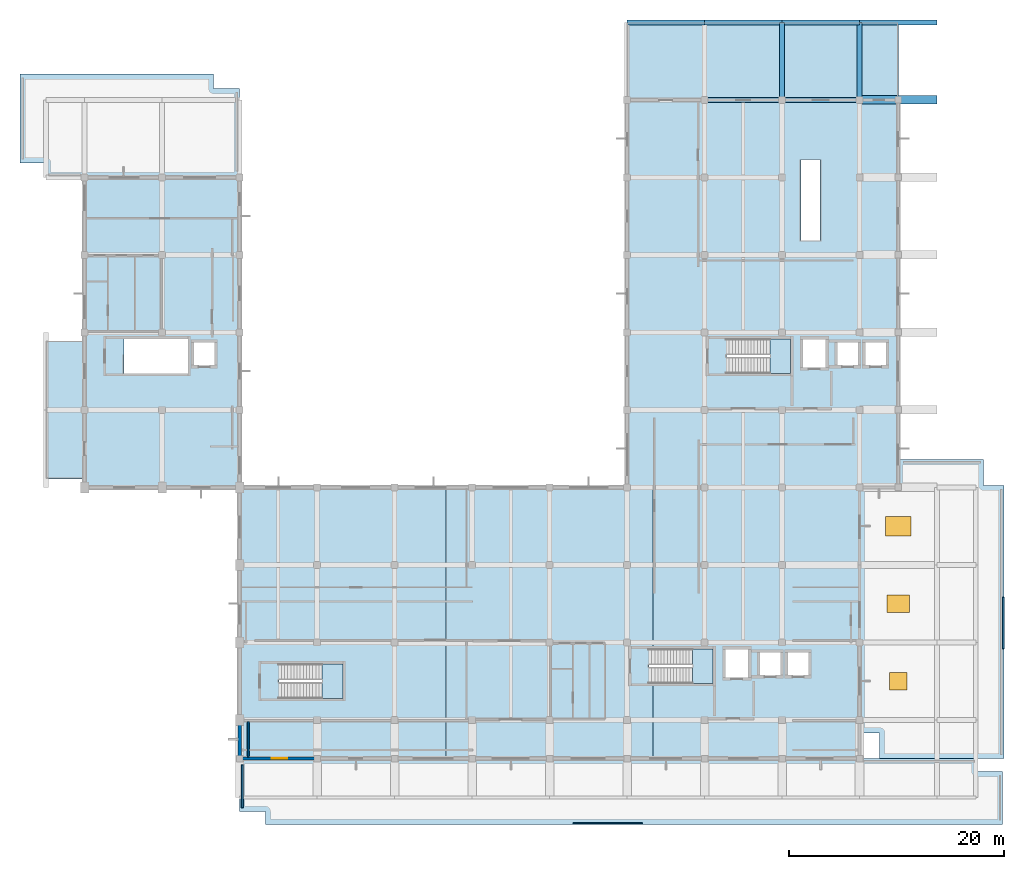
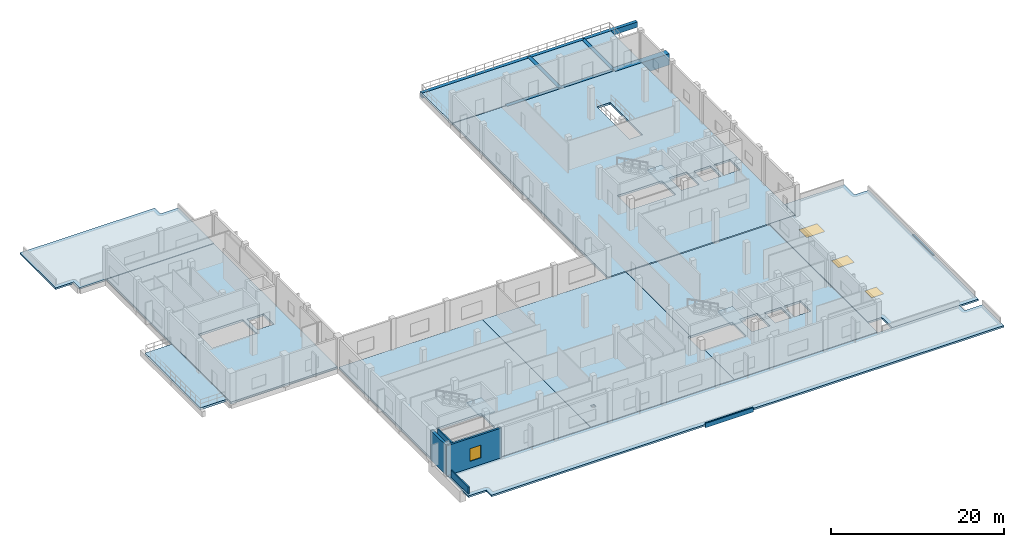
# One storey, part 3 of 16: 13 slabs, 9 beams, 4 walls, 4 windows, 2 plates, 4 openings, 3 elements without a shape of their own.
"""IFC4 building model written with IfcOpenShell, lengths in metres."""

import ifcopenshell
import ifcopenshell.guid

model = None  # the IFC model being written
_history = None  # IfcOwnerHistory: only IFC2X3 demands one
_inside = {}  # id of a spatial element -> (the spatial element, [elements in it])
_under = {}  # id of a project, library or spatial element -> (it, [spatial elements below it])
_declared = {}  # id of a project -> (the project, [libraries it declares])
_typed = {}  # id of a type object -> (the type object, [elements of that type])
_made_of = {}  # id of a material, layer set ... -> (it, [elements and type objects made of it])


def new_model(schema):
    """Start an empty IFC model of exactly this schema.

    Asked for "IFC4X3", IfcOpenShell would pick the latest addendum, in which some entities
    have other attributes; the version numbers below select the first issue.
    IFC2X3 requires an IfcOwnerHistory on every rooted entity: one is made here for all.
    """
    global model, _history
    if schema == "IFC4X3":
        model = ifcopenshell.file(schema_version=(4, 3, 0, 0))
    else:
        model = ifcopenshell.file(schema=schema)
    _inside.clear()
    _under.clear()
    _declared.clear()
    _typed.clear()
    _made_of.clear()
    _history = None
    if model.schema == "IFC2X3":
        org = make("IfcOrganization", Name="unknown")
        user = make(
            "IfcPersonAndOrganization",
            ThePerson=make("IfcPerson", FamilyName="unknown"),
            TheOrganization=org,
        )
        app = make(
            "IfcApplication",
            ApplicationDeveloper=org,
            Version="unknown",
            ApplicationFullName="unknown",
            ApplicationIdentifier="unknown",
        )
        _history = make(
            "IfcOwnerHistory",
            OwningUser=user,
            OwningApplication=app,
            ChangeAction="ADDED",
            CreationDate=0,
        )
    return model


def make(cls, **values):
    """One entity of the class cls with the attributes given. An attribute that is None is left unset."""
    return model.create_entity(
        cls, **{name: value for name, value in values.items() if value is not None}
    )


def rooted(cls, **values):
    """An entity with a GlobalId (a new one), such as an element, a storey or a relation."""
    return make(cls, GlobalId=ifcopenshell.guid.new(), OwnerHistory=_history, **values)


def si_unit(unit_type, name, prefix=None):
    """IfcSIUnit, for example si_unit("LENGTHUNIT", "METRE", prefix="MILLI")."""
    return make("IfcSIUnit", UnitType=unit_type, Prefix=prefix, Name=name)


def assignment(units):
    """IfcUnitAssignment: the units of a project."""
    return None if units is None else make("IfcUnitAssignment", Units=units)


def point(xyz):
    """IfcCartesianPoint."""
    return None if xyz is None else make("IfcCartesianPoint", Coordinates=xyz)


def direction(xyz):
    """IfcDirection."""
    return None if xyz is None else make("IfcDirection", DirectionRatios=xyz)


def frame(location, z_axis=None, x_axis=None):
    """IfcAxis2Placement3D, a coordinate frame: its origin and axes. An axis left out is left unset."""
    return make(
        "IfcAxis2Placement3D",
        Location=point(location),
        Axis=direction(z_axis),
        RefDirection=direction(x_axis),
    )


def frame_2d(location, x_axis=None):
    """IfcAxis2Placement2D, a coordinate frame in the plane: its origin and x axis."""
    return make(
        "IfcAxis2Placement2D", Location=point(location), RefDirection=direction(x_axis)
    )


def origin():
    """The frame at (0, 0, 0) with its axes left unset."""
    return frame((0.0, 0.0, 0.0))


def origin_2d():
    """The frame at (0, 0) in the plane with its x axis left unset."""
    return frame_2d((0.0, 0.0))


def place(relative_to, where):
    """IfcLocalPlacement: puts the frame where relative to a parent placement (None: the world)."""
    return make(
        "IfcLocalPlacement", PlacementRelTo=relative_to, RelativePlacement=where
    )


def context(
    kind, dimensions, precision=None, world=None, true_north=None, identifier=None
):
    """IfcGeometricRepresentationContext, for example the 3D "Model" context."""
    return make(
        "IfcGeometricRepresentationContext",
        ContextIdentifier=identifier,
        ContextType=kind,
        CoordinateSpaceDimension=dimensions,
        Precision=precision,
        WorldCoordinateSystem=world,
        TrueNorth=true_north,
    )


def subcontext(parent, identifier, kind, view, scale=None):
    """IfcGeometricRepresentationSubContext, for example "Body" below "Model"."""
    return make(
        "IfcGeometricRepresentationSubContext",
        ContextIdentifier=identifier,
        ContextType=kind,
        ParentContext=parent,
        TargetScale=scale,
        TargetView=view,
    )


def project(units=None, contexts=None):
    """IfcProject with its units and contexts."""
    return rooted(
        "IfcProject",
        Name="project",
        RepresentationContexts=contexts,
        UnitsInContext=assignment(units),
    )


def spatial(cls, under=None, at=None, **own):
    """A site, building, storey or space (cls), placed at a placement, below another one or the project."""
    s = rooted(cls, ObjectPlacement=at, **own)
    if under is not None:
        _under.setdefault(under.id(), (under, []))[1].append(s)
    return s


def polyline(points):
    """IfcPolyline through the points."""
    return make("IfcPolyline", Points=[point(p) for p in points])


def profile(cls, at=None, kind="AREA", **sizes):
    """A parametric profile (cls). Its sizes go by their IFC names, for example OverallWidth=200.0."""
    return make(cls, ProfileType=kind, Position=at, **sizes)


def rectangle(**sizes):
    """IfcRectangleProfileDef."""
    return profile("IfcRectangleProfileDef", **sizes)


def outline(outer, holes=None, kind="AREA"):
    """IfcArbitraryClosedProfileDef: a profile drawn as a closed curve; with holes, ...WithVoids."""
    if holes is None:
        return make("IfcArbitraryClosedProfileDef", ProfileType=kind, OuterCurve=outer)
    return make(
        "IfcArbitraryProfileDefWithVoids",
        ProfileType=kind,
        OuterCurve=outer,
        InnerCurves=holes,
    )


def extrude(swept, where, along, depth):
    """IfcExtrudedAreaSolid: the profile swept, set in the frame where, extruded along a direction by depth."""
    return make(
        "IfcExtrudedAreaSolid",
        SweptArea=swept,
        Position=where,
        ExtrudedDirection=direction(along),
        Depth=depth,
    )


def shape(context_of_items, identifier, shape_type, items):
    """IfcShapeRepresentation: the items that make up one representation, for example the "Body"."""
    return make(
        "IfcShapeRepresentation",
        ContextOfItems=context_of_items,
        RepresentationIdentifier=identifier,
        RepresentationType=shape_type,
        Items=items,
    )


def material(Name=None, Category=None):
    """IfcMaterial."""
    return make("IfcMaterial", Name=Name, Category=Category)


def layer(
    of_material, thickness, ventilated=None, Name=None, Category=None, Priority=None
):
    """IfcMaterialLayer: one layer of a wall or slab, of a material (None: an air gap)."""
    return make(
        "IfcMaterialLayer",
        Material=of_material,
        LayerThickness=thickness,
        IsVentilated=ventilated,
        Name=Name,
        Category=Category,
        Priority=Priority,
    )


def layer_set(layers, Name=None):
    """IfcMaterialLayerSet."""
    return make("IfcMaterialLayerSet", MaterialLayers=layers, LayerSetName=Name)


def material_profile(
    of_material, cross_section, Name=None, Category=None, Priority=None
):
    """IfcMaterialProfile: a cross section and its material."""
    return make(
        "IfcMaterialProfile",
        Name=Name,
        Material=of_material,
        Profile=cross_section,
        Priority=Priority,
        Category=Category,
    )


def profile_set(profiles, Name=None, composite=None):
    """IfcMaterialProfileSet."""
    return make(
        "IfcMaterialProfileSet",
        Name=Name,
        MaterialProfiles=profiles,
        CompositeProfile=composite,
    )


def made_of(thing, what):
    """Note that an element or type object is made of a material, layer set ...; save() writes the relation."""
    if what is not None:
        _made_of.setdefault(what.id(), (what, []))[1].append(thing)
    return thing


def type_object(cls, material=None, **own):
    """A type object (cls), such as IfcWallType, which elements share."""
    return made_of(rooted(cls, **own), material)


def element(
    cls,
    number,
    at=None,
    inside=None,
    cuts=None,
    type_object=None,
    material=None,
    context=None,
    identifier="Body",
    shape_type=None,
    held_by="IfcProductDefinitionShape",
    body=None,
    shapes=None,
    **own,
):
    """One element of the class cls, such as IfcWall. Its Tag is "e" and its number.

    at: its placement. inside: the storey or other place that contains it. cuts: it is an
    opening in that element (IfcRelVoidsElement). A single representation is given by context,
    identifier, shape_type and body (its items); several are given by shapes. held_by: the class
    of the entity that holds the representations. save() writes the other relations.
    """
    e = rooted(cls, Tag="e%d" % number, ObjectPlacement=at, **own)
    if body is not None:
        shapes = [shape(context, identifier, shape_type, body)]
    if shapes is not None:
        e.Representation = make(held_by, Representations=shapes)
    if inside is not None:
        _inside.setdefault(inside.id(), (inside, []))[1].append(e)
    if cuts is not None:
        rooted(
            "IfcRelVoidsElement", RelatingBuildingElement=cuts, RelatedOpeningElement=e
        )
    if type_object is not None:
        _typed.setdefault(type_object.id(), (type_object, []))[1].append(e)
    return made_of(e, material)


def fill(opening, filler):
    """IfcRelFillsElement: the door or window that sits in an opening."""
    return rooted(
        "IfcRelFillsElement",
        RelatingOpeningElement=opening,
        RelatedBuildingElement=filler,
    )


def aggregate(whole, parts):
    """IfcRelAggregates: a whole, such as a stair, and the parts it consists of."""
    return rooted("IfcRelAggregates", RelatingObject=whole, RelatedObjects=parts)


def save(model, path):
    """Write the relations noted so far, then the file.

    IfcRelAggregates (storeys below a building ...), IfcRelContainedInSpatialStructure (elements
    in a storey), IfcRelDefinesByType, IfcRelAssociatesMaterial and IfcRelDeclares: one each for
    every whole, place, type object, material and project.
    """
    for whole, parts in _under.values():
        aggregate(whole, parts)
    for where, things in _inside.values():
        rooted(
            "IfcRelContainedInSpatialStructure",
            RelatedElements=things,
            RelatingStructure=where,
        )
    for kind, things in _typed.values():
        rooted("IfcRelDefinesByType", RelatedObjects=things, RelatingType=kind)
    for what, things in _made_of.values():
        rooted("IfcRelAssociatesMaterial", RelatedObjects=things, RelatingMaterial=what)
    for by, libraries in _declared.values():
        rooted("IfcRelDeclares", RelatingContext=by, RelatedDefinitions=libraries)
    model.write(path)


model = new_model("IFC4")

# Units and contexts
model_context = context("Model", 3, precision=1e-05, world=origin(), true_north=direction((0.0, 1.0)))
body_context = subcontext(model_context, "Body", "Model", "MODEL_VIEW")
ifc_project = project(units=[si_unit("LENGTHUNIT", "METRE"), si_unit("AREAUNIT", "SQUARE_METRE"), si_unit("VOLUMEUNIT", "CUBIC_METRE"), si_unit("PLANEANGLEUNIT", "RADIAN"), si_unit("MASSUNIT", "GRAM", prefix="KILO")], contexts=[model_context])

# Site, building, storey
site_placement = place(None, origin())
site = spatial("IfcSite", under=ifc_project, at=site_placement, CompositionType="ELEMENT")
building_placement = place(site_placement, origin())
building = spatial("IfcBuilding", under=site, at=building_placement, Name="Seraya Terrace Polytechnic", CompositionType="ELEMENT")
storey_placement = place(building_placement, frame((0.0, 0.0, 23.39990234375)))
storey = spatial("IfcBuildingStorey", under=building, at=storey_placement, Name="L05", CompositionType="ELEMENT", Elevation=23.39990234375)

# Beams
ifc_material_1 = material(Name="Concrete C40/50", Category="concrete")
ifc_material_profile_1 = material_profile(ifc_material_1, rectangle(XDim=0.449951171875, YDim=0.75, at=origin_2d()), Name="RC 450x750")
ifc_profile_set_1 = profile_set([ifc_material_profile_1], Name="Concrete C40/50")
beam_type_1 = type_object("IfcBeamType", Name="BM-08", PredefinedType="BEAM", material=ifc_profile_set_1)
beam_1_placement = place(storey_placement, frame((86.39990234375, 64.800048828125, -0.375), z_axis=(1.0, 0.0, 0.0), x_axis=(0.0, 1.0, 0.0)))
element("IfcBeam", 1, at=beam_1_placement, inside=storey, type_object=beam_type_1, Name="Beam BM-08 L05 X (86.4..93.6, 64.8)", PredefinedType="BEAM", context=body_context, shape_type="SweptSolid", body=[
    extrude(rectangle(XDim=0.449951171875, YDim=0.75, at=origin_2d()), origin(), (0.0, 0.0, 1.0), 7.2001953125),
])
for number, where, z_axis, x_axis, name in (
    (2, (93.60009765625, 64.800048828125, -0.375), (1.0, 0.0, 0.0), (0.0, 1.0, 0.0), "Beam BM-08 L05 X (93.6..100.8, 64.8)"),
    (3, (79.199951171875, 72.0, -0.375), (1.0, 0.0, 0.0), (0.0, 1.0, 0.0), "Beam BM-08 L05 X (79.2..86.4, 72.0)"),
):
    element("IfcBeam", number, at=place(storey_placement, frame(where, z_axis=z_axis, x_axis=x_axis)), inside=storey, type_object=beam_type_1, Name=name, PredefinedType="BEAM", context=body_context, shape_type="SweptSolid", body=[
        extrude(rectangle(XDim=0.449951171875, YDim=0.75, at=origin_2d()), origin(), (0.0, 0.0, 1.0), 7.199951171875),
    ])
beam_2_placement = place(storey_placement, frame((86.39990234375, 72.0, -0.375), z_axis=(1.0, 0.0, 0.0), x_axis=(0.0, 1.0, 0.0)))
element("IfcBeam", 4, at=beam_2_placement, inside=storey, type_object=beam_type_1, Name="Beam BM-08 L05 X (86.4..93.6, 72.0)", PredefinedType="BEAM", context=body_context, shape_type="SweptSolid", body=[
    extrude(rectangle(XDim=0.449951171875, YDim=0.75, at=origin_2d()), origin(), (0.0, 0.0, 1.0), 7.2001953125),
])
for number, where, z_axis, x_axis, name in (
    (5, (93.60009765625, 72.0, -0.375), (1.0, 0.0, 0.0), (0.0, 1.0, 0.0), "Beam BM-08 L05 X (93.6..100.8, 72.0)"),
    (6, (100.800048828125, 72.0, -0.375), (1.0, 0.0, 0.0), (0.0, 1.0, 0.0), "Beam BM-08 L05 X (100.8..108.0, 72.0)"),
    (7, (93.60009765625, 64.800048828125, -0.375), (0.0, 1.0, 0.0), (-1.0, 0.0, 0.0), "Beam BM-08 L05 Y (93.6, 64.8..72.0)"),
    (8, (100.800048828125, 64.800048828125, -0.375), (0.0, 1.0, 0.0), (-1.0, 0.0, 0.0), "Beam BM-08 L05 Y (100.8, 64.8..72.0)"),
):
    element("IfcBeam", number, at=place(storey_placement, frame(where, z_axis=z_axis, x_axis=x_axis)), inside=storey, type_object=beam_type_1, Name=name, PredefinedType="BEAM", context=body_context, shape_type="SweptSolid", body=[
        extrude(rectangle(XDim=0.449951171875, YDim=0.75, at=origin_2d()), origin(), (0.0, 0.0, 1.0), 7.199951171875),
    ])
ifc_material_profile_2 = material_profile(ifc_material_1, rectangle(XDim=0.800048828125, YDim=1.60009765625, at=origin_2d()), Name="RC 800x1600")
ifc_profile_set_2 = profile_set([ifc_material_profile_2], Name="Concrete C40/50")
beam_type_2 = type_object("IfcBeamType", Name="TG-03", PredefinedType="USERDEFINED", material=ifc_profile_set_2)
beam_3_placement = place(storey_placement, frame((100.800048828125, 64.800048828125, -0.7998046875), z_axis=(1.0, 0.0, 0.0), x_axis=(0.0, 1.0, 0.0)))
element("IfcBeam", 9, at=beam_3_placement, inside=storey, type_object=beam_type_2, Name="Transfer girder TG-03 L05 #38", ObjectType="GIRDER", PredefinedType="USERDEFINED", context=body_context, shape_type="SweptSolid", body=[
    extrude(rectangle(XDim=0.800048828125, YDim=1.60009765625, at=origin_2d()), origin(), (0.0, 0.0, 1.0), 7.199951171875),
])

# Plates
ifc_material_2 = material(Name="Precast concrete C40/50", Category="concrete")
ifc_layer_1 = layer(ifc_material_2, 0.159912109375, Name="FP-01")
ifc_layer_set_1 = layer_set([ifc_layer_1], Name="Precast concrete C40/50")
plate_type_1 = type_object("IfcPlateType", Name="FP-01", PredefinedType="SHEET", material=ifc_layer_set_1)
plate_1_placement = place(storey_placement, frame((77.39990234375, -2.429931640625, -0.489990234375), z_axis=(0.0, 0.0, 1.0), x_axis=(1.0, 0.0, 0.0)))
element("IfcPlate", 10, at=plate_1_placement, inside=storey, type_object=plate_type_1, Name="Sculpted white precast eave fascia ROOF-L05-SOUTH South", PredefinedType="SHEET", context=body_context, shape_type="SweptSolid", body=[
    extrude(rectangle(XDim=6.39990234375, YDim=0.159912109375, at=origin_2d()), origin(), (0.0, 0.0, 1.0), 0.6201171875),
])
ifc_layer_2 = layer(ifc_material_2, 0.179931640625, Name="FP-02")
ifc_layer_set_2 = layer_set([ifc_layer_2], Name="Precast concrete C40/50")
plate_type_2 = type_object("IfcPlateType", Name="FP-02", PredefinedType="SHEET", material=ifc_layer_set_2)
plate_2_placement = place(storey_placement, frame((114.1298828125, 16.199951171875, -0.489990234375), z_axis=(0.0, 0.0, 1.0), x_axis=(0.0, 1.0, 0.0)))
element("IfcPlate", 11, at=plate_2_placement, inside=storey, type_object=plate_type_2, Name="Sculpted white precast eave fascia ROOF-L05-SE East", PredefinedType="SHEET", context=body_context, shape_type="SweptSolid", body=[
    extrude(rectangle(XDim=4.800048828125, YDim=0.179931640625, at=origin_2d()), origin(), (0.0, 0.0, 1.0), 0.6201171875),
])

# Slabs
ifc_layer_3 = layer(ifc_material_1, 0.300048828125, Name="FS-10")
ifc_layer_set_3 = layer_set([ifc_layer_3], Name="Concrete C40/50")
slab_type_1 = type_object("IfcSlabType", Name="FS-10", PredefinedType="FLOOR", material=ifc_layer_set_3)
slab_1_placement = place(storey_placement, frame((0.0, 0.0, -0.2998046875)))
element("IfcSlab", 12, at=slab_1_placement, inside=storey, type_object=slab_type_1, Name="Floor slab SLB-V2-SOUTH-L05-S1 (FS-10)", PredefinedType="FLOOR", context=body_context, shape_type="SweptSolid", body=[
    extrude(outline(polyline([(43.260009765625, 3.659912109375), (43.260009765625, 28.739990234375), (62.39990234375, 28.739990234375), (62.39990234375, 3.659912109375), (43.260009765625, 3.659912109375)]), holes=[polyline([(46.840087890625, 12.39990234375), (46.840087890625, 9.199951171875), (52.800048828125, 9.199951171875), (52.800048828125, 12.39990234375), (46.840087890625, 12.39990234375)])]), origin(), (0.0, 0.0, 1.0), 0.2998046875),
])
slab_2_placement = place(storey_placement, frame((0.0, 0.0, -0.2998046875)))
element("IfcSlab", 13, at=slab_2_placement, inside=storey, type_object=slab_type_1, Name="Floor slab SLB-V2-SOUTH-L05-S2 (FS-10)", PredefinedType="FLOOR", context=body_context, shape_type="SweptSolid", body=[
    extrude(outline(polyline([(81.60009765625, 28.739990234375), (81.60009765625, 13.800048828125), (81.239990234375, 13.800048828125), (81.239990234375, 10.60009765625), (81.60009765625, 10.60009765625), (81.60009765625, 3.659912109375), (62.405029296875, 3.659912109375), (62.405029296875, 28.739990234375), (81.60009765625, 28.739990234375)]), holes=[polyline([(64.550048828125, 7.449951171875), (64.550048828125, 6.949951171875), (65.050048828125, 6.949951171875), (65.050048828125, 7.449951171875), (64.550048828125, 7.449951171875)])]), origin(), (0.0, 0.0, 1.0), 0.2998046875),
])
slab_3_placement = place(storey_placement, frame((0.0, 0.0, -0.2998046875)))
element("IfcSlab", 14, at=slab_3_placement, inside=storey, type_object=slab_type_1, Name="Floor slab SLB-V2-SOUTH-L05-S3 (FS-10)", PredefinedType="FLOOR", context=body_context, shape_type="SweptSolid", body=[
    extrude(outline(polyline([(100.739990234375, 28.739990234375), (100.739990234375, 3.659912109375), (81.60498046875, 3.659912109375), (81.60498046875, 10.60009765625), (87.199951171875, 10.60009765625), (87.199951171875, 13.800048828125), (81.60498046875, 13.800048828125), (81.60498046875, 28.739990234375), (100.739990234375, 28.739990234375)]), holes=[polyline([(88.199951171875, 13.89990234375), (88.199951171875, 11.0), (90.60009765625, 11.0), (90.60009765625, 13.89990234375), (88.199951171875, 13.89990234375)]), polyline([(91.39990234375, 11.199951171875), (93.60009765625, 11.199951171875), (93.60009765625, 13.60009765625), (91.39990234375, 13.60009765625), (91.39990234375, 11.199951171875)]), polyline([(94.0, 13.60009765625), (94.0, 11.199951171875), (96.199951171875, 11.199951171875), (96.199951171875, 13.60009765625), (94.0, 13.60009765625)])]), origin(), (0.0, 0.0, 1.0), 0.2998046875),
])
slab_4_placement = place(storey_placement, frame((0.0, 0.0, -0.2998046875)))
element("IfcSlab", 15, at=slab_4_placement, inside=storey, type_object=slab_type_1, Name="Floor slab SLB-V2-WEST-L05-S1 (FS-10)", PredefinedType="FLOOR", context=body_context, shape_type="SweptSolid", body=[
    extrude(outline(polyline([(28.860107421875, 57.5400390625), (43.139892578125, 57.5400390625), (43.139892578125, 28.860107421875), (28.860107421875, 28.860107421875), (28.860107421875, 57.5400390625)]), holes=[polyline([(32.43994140625, 39.39990234375), (38.39990234375, 39.39990234375), (38.39990234375, 42.60009765625), (32.43994140625, 42.60009765625), (32.43994140625, 39.39990234375)]), polyline([(38.820068359375, 42.39990234375), (38.820068359375, 40.0), (41.02001953125, 40.0), (41.02001953125, 42.39990234375), (38.820068359375, 42.39990234375)])]), origin(), (0.0, 0.0, 1.0), 0.2998046875),
])
slab_5_placement = place(storey_placement, frame((0.0, 0.0, -0.2998046875)))
element("IfcSlab", 16, at=slab_5_placement, inside=storey, type_object=slab_type_1, Name="Floor slab SLB-V2-SPINE-L05-S1 (FS-10)", PredefinedType="FLOOR", context=body_context, shape_type="SweptSolid", body=[
    extrude(outline(polyline([(79.260009765625, 64.739990234375), (104.340087890625, 64.739990234375), (104.340087890625, 28.860107421875), (79.260009765625, 28.860107421875), (79.260009765625, 64.739990234375)]), holes=[polyline([(88.43994140625, 42.60009765625), (88.43994140625, 39.39990234375), (94.39990234375, 39.39990234375), (94.39990234375, 42.60009765625), (88.43994140625, 42.60009765625)]), polyline([(98.60009765625, 42.39990234375), (98.60009765625, 40.0), (100.800048828125, 40.0), (100.800048828125, 42.39990234375), (98.60009765625, 42.39990234375)]), polyline([(101.199951171875, 40.0), (103.39990234375, 40.0), (103.39990234375, 42.39990234375), (101.199951171875, 42.39990234375), (101.199951171875, 40.0)]), polyline([(95.39990234375, 42.699951171875), (95.39990234375, 39.800048828125), (97.800048828125, 39.800048828125), (97.800048828125, 42.699951171875), (95.39990234375, 42.699951171875)]), polyline([(95.35009765625, 59.280029296875), (95.35009765625, 51.760009765625), (97.1298828125, 51.760009765625), (97.1298828125, 59.280029296875), (95.35009765625, 59.280029296875)])]), origin(), (0.0, 0.0, 1.0), 0.2998046875),
])
ifc_layer_4 = layer(ifc_material_2, 0.25, Name="RS-01")
ifc_layer_set_4 = layer_set([ifc_layer_4], Name="Precast concrete C40/50")
slab_type_2 = type_object("IfcSlabType", Name="RS-01", PredefinedType="ROOF", material=ifc_layer_set_4)
slab_6_placement = place(storey_placement, frame((0.0, 0.0, -0.25)))
element("IfcSlab", 17, at=slab_6_placement, inside=storey, type_object=slab_type_2, Name="Sculpted overhanging precast roof plate ROOF-L05-SOUTH", PredefinedType="ROOF", context=body_context, shape_type="SweptSolid", body=[
    extrude(outline(polyline([(45.60009765625, -1.300048828125), (43.199951171875, -1.300048828125), (43.199951171875, 3.60009765625), (111.699951171875, 3.60009765625), (111.699951171875, 2.39990234375), (114.10009765625, 2.39990234375), (114.10009765625, -2.5), (45.60009765625, -2.5), (45.60009765625, -1.300048828125)])), origin(), (0.0, 0.0, 1.0), 0.25),
])

# Slab, openings, windows
slab_7_placement = place(storey_placement, frame((0.0, 0.0, -0.25)))
slab_7 = element("IfcSlab", 18, at=slab_7_placement, inside=storey, type_object=slab_type_2, Name="Sculpted overhanging precast roof plate ROOF-L05-SE", PredefinedType="ROOF", context=body_context, shape_type="SweptSolid", body=[
    extrude(outline(polyline([(112.323974609375, 31.39990234375), (112.323974609375, 29.0), (114.199951171875, 29.0), (114.199951171875, 3.60009765625), (102.676025390625, 3.60498046875), (102.676025390625, 6.0), (100.800048828125, 6.0), (100.800048828125, 28.85498046875), (104.3427734375, 28.855712890625), (104.344970703125, 31.39990234375), (112.323974609375, 31.39990234375)])), origin(), (0.0, 0.0, 1.0), 0.25),
])
opening_1_placement = place(slab_7_placement, frame((104.39990234375, 10.800048828125, -0.011962890625)))
opening_1 = element("IfcOpeningElement", 19, at=opening_1_placement, cuts=slab_7, Name="Opening SK-01", PredefinedType="OPENING", context=body_context, shape_type="SweptSolid", body=[
    extrude(rectangle(XDim=1.60009765625, YDim=1.60009765625, at=origin_2d()), origin(), (0.0, 0.0, 1.0), 0.27392578125),
])
opening_2_placement = place(slab_7_placement, frame((104.39990234375, 18.0, -0.011962890625)))
opening_2 = element("IfcOpeningElement", 20, at=opening_2_placement, cuts=slab_7, Name="Opening SK-02", PredefinedType="OPENING", context=body_context, shape_type="SweptSolid", body=[
    extrude(rectangle(XDim=2.10009765625, YDim=1.60009765625, at=origin_2d()), origin(), (0.0, 0.0, 1.0), 0.27392578125),
])
opening_3_placement = place(slab_7_placement, frame((104.39990234375, 25.199951171875, -0.011962890625)))
opening_3 = element("IfcOpeningElement", 21, at=opening_3_placement, cuts=slab_7, Name="Opening SK-03", PredefinedType="OPENING", context=body_context, shape_type="SweptSolid", body=[
    extrude(rectangle(XDim=2.39990234375, YDim=1.800048828125, at=origin_2d()), origin(), (0.0, 0.0, 1.0), 0.27392578125),
])
ifc_material_3 = material(Name="Laminated solar-control Low-E double glazing", Category="glass")
window_type_1 = type_object("IfcWindowType", Name="SK-01", PartitioningType="SINGLE_PANEL", PredefinedType="SKYLIGHT", material=ifc_material_3)
window_1_placement = place(slab_7_placement, frame((104.39990234375, 10.800048828125, 0.199951171875)))
window_1 = element("IfcWindow", 22, at=window_1_placement, inside=storey, type_object=window_type_1, Name="Roof skylight and smoke hatch SK-01 #7", OverallHeight=1.60009765625, OverallWidth=1.60009765625, PartitioningType="SINGLE_PANEL", PredefinedType="SKYLIGHT", context=body_context, shape_type="SweptSolid", body=[
    extrude(rectangle(XDim=1.60009765625, YDim=1.60009765625, at=origin_2d()), origin(), (0.0, 0.0, 1.0), 0.050048828125),
])
fill(opening_1, window_1)
window_type_2 = type_object("IfcWindowType", Name="SK-02", PartitioningType="SINGLE_PANEL", PredefinedType="SKYLIGHT", material=ifc_material_3)
window_2_placement = place(slab_7_placement, frame((104.39990234375, 18.0, 0.199951171875)))
window_2 = element("IfcWindow", 23, at=window_2_placement, inside=storey, type_object=window_type_2, Name="Roof skylight and smoke hatch SK-02 #8", OverallHeight=1.60009765625, OverallWidth=2.10009765625, PartitioningType="SINGLE_PANEL", PredefinedType="SKYLIGHT", context=body_context, shape_type="SweptSolid", body=[
    extrude(rectangle(XDim=2.10009765625, YDim=1.60009765625, at=origin_2d()), origin(), (0.0, 0.0, 1.0), 0.050048828125),
])
fill(opening_2, window_2)
window_type_3 = type_object("IfcWindowType", Name="SK-03", PartitioningType="SINGLE_PANEL", PredefinedType="SKYLIGHT", material=ifc_material_3)
window_3_placement = place(slab_7_placement, frame((104.39990234375, 25.199951171875, 0.199951171875)))
window_3 = element("IfcWindow", 24, at=window_3_placement, inside=storey, type_object=window_type_3, Name="Roof skylight and smoke hatch SK-03 #9", OverallHeight=1.800048828125, OverallWidth=2.39990234375, PartitioningType="SINGLE_PANEL", PredefinedType="SKYLIGHT", context=body_context, shape_type="SweptSolid", body=[
    extrude(rectangle(XDim=2.39990234375, YDim=1.800048828125, at=origin_2d()), origin(), (0.0, 0.0, 1.0), 0.050048828125),
])
fill(opening_3, window_3)

# Slab
ifc_layer_5 = layer(ifc_material_2, 0.22998046875, Name="RS-03")
ifc_layer_set_5 = layer_set([ifc_layer_5], Name="Precast concrete C40/50")
slab_type_3 = type_object("IfcSlabType", Name="RS-03", PredefinedType="ROOF", material=ifc_layer_set_5)
slab_8_placement = place(storey_placement, frame((0.0, 0.0, -0.22998046875)))
element("IfcSlab", 25, at=slab_8_placement, inside=storey, type_object=slab_type_3, Name="Sculpted overhanging precast roof plate ROOF-L05-WEST", PredefinedType="ROOF", context=body_context, shape_type="SweptSolid", body=[
    extrude(outline(polyline([(25.199951171875, 58.944091796875), (22.800048828125, 58.944091796875), (22.800048828125, 67.199951171875), (40.800048828125, 67.199951171875), (40.800048828125, 65.85595703125), (43.199951171875, 65.85595703125), (43.199951171875, 57.60009765625), (25.199951171875, 57.60009765625), (25.199951171875, 58.944091796875)])), origin(), (0.0, 0.0, 1.0), 0.22998046875),
])

# Stair, slab
stair_type = type_object("IfcStairType", Name="ST-T2", PredefinedType="HALF_TURN_STAIR", material=ifc_material_1)
stair_1_placement = place(storey_placement, origin())
stair_1 = element("IfcStair", 26, at=stair_1_placement, inside=storey, type_object=stair_type, Name="L05 Protected exit stair ST-01", PredefinedType="HALF_TURN_STAIR")
ifc_layer_6 = layer(ifc_material_1, 0.199951171875, Name="SL-01")
ifc_layer_set_6 = layer_set([ifc_layer_6], Name="Concrete C40/50")
slab_type_4 = type_object("IfcSlabType", Name="SL-01", PredefinedType="LANDING", material=ifc_layer_set_6)
slab_9_placement = place(storey_placement, frame((0.0, 0.0, 2.050048828125)))
slab_9 = element("IfcSlab", 27, at=slab_9_placement, type_object=slab_type_4, Name="ST-01 landing 1", PredefinedType="LANDING", context=body_context, shape_type="SweptSolid", body=[
    extrude(outline(polyline([(85.260009765625, 10.60009765625), (87.199951171875, 10.60009765625), (87.199951171875, 13.800048828125), (85.260009765625, 13.800048828125), (85.260009765625, 10.60009765625)])), origin(), (0.0, 0.0, 1.0), 0.199951171875),
])
aggregate(stair_1, [slab_9])

stair_2_placement = place(storey_placement, origin())
stair_2 = element("IfcStair", 28, at=stair_2_placement, inside=storey, type_object=stair_type, Name="L05 Protected exit stair ST-02", PredefinedType="HALF_TURN_STAIR")
slab_10_placement = place(storey_placement, frame((0.0, 0.0, 2.050048828125)))
slab_10 = element("IfcSlab", 29, at=slab_10_placement, type_object=slab_type_4, Name="ST-02 landing 1", PredefinedType="LANDING", context=body_context, shape_type="SweptSolid", body=[
    extrude(outline(polyline([(92.4599609375, 39.39990234375), (94.39990234375, 39.39990234375), (94.39990234375, 42.60009765625), (92.4599609375, 42.60009765625), (92.4599609375, 39.39990234375)])), origin(), (0.0, 0.0, 1.0), 0.199951171875),
])
aggregate(stair_2, [slab_10])

stair_3_placement = place(storey_placement, origin())
stair_3 = element("IfcStair", 30, at=stair_3_placement, inside=storey, type_object=stair_type, Name="L05 Protected exit stair ST-03", PredefinedType="HALF_TURN_STAIR")
slab_11_placement = place(storey_placement, frame((0.0, 0.0, 2.050048828125)))
slab_11 = element("IfcSlab", 31, at=slab_11_placement, type_object=slab_type_4, Name="ST-03 landing 1", PredefinedType="LANDING", context=body_context, shape_type="SweptSolid", body=[
    extrude(outline(polyline([(50.860107421875, 9.199951171875), (52.800048828125, 9.199951171875), (52.800048828125, 12.39990234375), (50.860107421875, 12.39990234375), (50.860107421875, 9.199951171875)])), origin(), (0.0, 0.0, 1.0), 0.199951171875),
])
aggregate(stair_3, [slab_11])

# Slabs
ifc_layer_7 = layer(ifc_material_1, 0.2900390625, Name="TS-04")
ifc_layer_set_7 = layer_set([ifc_layer_7], Name="Concrete C40/50")
slab_type_5 = type_object("IfcSlabType", Name="TS-04", PredefinedType="FLOOR", material=ifc_layer_set_7)
slab_12_placement = place(storey_placement, frame((0.0, 0.0, -0.289794921875)))
element("IfcSlab", 32, at=slab_12_placement, inside=storey, type_object=slab_type_5, Name="Planted study terrace slab TERR-L05-W", PredefinedType="FLOOR", context=body_context, shape_type="SweptSolid", body=[
    extrude(outline(polyline([(25.199951171875, 29.60009765625), (25.199951171875, 42.39990234375), (28.800048828125, 42.39990234375), (28.800048828125, 29.60009765625), (25.199951171875, 29.60009765625)])), origin(), (0.0, 0.0, 1.0), 0.289794921875),
])
slab_13_placement = place(storey_placement, frame((0.0, 0.0, -0.289794921875)))
element("IfcSlab", 33, at=slab_13_placement, inside=storey, type_object=slab_type_5, Name="Planted study terrace slab TERR-L05-N", PredefinedType="FLOOR", context=body_context, shape_type="SweptSolid", body=[
    extrude(outline(polyline([(79.199951171875, 64.800048828125), (79.199951171875, 72.0), (104.39990234375, 72.0), (104.39990234375, 64.800048828125), (79.199951171875, 64.800048828125)])), origin(), (0.0, 0.0, 1.0), 0.289794921875),
])

# Wall, opening, window
ifc_layer_8 = layer(ifc_material_2, 0.260009765625, Name="EW-03")
ifc_layer_set_8 = layer_set([ifc_layer_8], Name="Precast concrete C40/50")
wall_type_1 = type_object("IfcWallType", Name="EW-03", PredefinedType="SOLIDWALL", material=ifc_layer_set_8)
wall_1_placement = place(storey_placement, frame((50.39990234375, 3.60009765625, 0.0), z_axis=(0.0, 0.0, 1.0), x_axis=(-1.0, 0.0, 0.0)))
wall_1 = element("IfcWall", 34, at=wall_1_placement, inside=storey, type_object=wall_type_1, Name="Exterior structural wall EW-03 L05", PredefinedType="SOLIDWALL", context=body_context, shape_type="SweptSolid", body=[
    extrude(rectangle(XDim=7.349853515625, YDim=0.260009765625, at=frame_2d((3.6748046875, 0.0))), origin(), (0.0, 0.0, 1.0), 4.22021484375),
])
opening_4_placement = place(wall_1_placement, frame((2.77490234375, 0.0, 0.949951171875)))
opening_4 = element("IfcOpeningElement", 35, at=opening_4_placement, cuts=wall_1, Name="Opening WN-28", PredefinedType="OPENING", context=body_context, shape_type="SweptSolid", body=[
    extrude(rectangle(XDim=1.449951171875, YDim=1.800048828125, at=frame_2d((0.72509765625, 0.89990234375))), frame((0.0, 0.14208984375, 0.0), z_axis=(0.0, -1.0, 0.0), x_axis=(1.0, 0.0, 0.0)), (0.0, 0.0, 1.0), 0.283935546875),
])
window_type_4 = type_object("IfcWindowType", Name="WN-28", PartitioningType="SINGLE_PANEL", PredefinedType="WINDOW", material=ifc_material_3)
window_4_placement = place(opening_4_placement, origin())
window_4 = element("IfcWindow", 36, at=window_4_placement, inside=storey, type_object=window_type_4, Name="Exterior window WN-28 L05", OverallHeight=1.800048828125, OverallWidth=1.449951171875, PartitioningType="SINGLE_PANEL", PredefinedType="WINDOW", context=body_context, shape_type="SweptSolid", body=[
    extrude(rectangle(XDim=1.449951171875, YDim=1.800048828125, at=frame_2d((0.72509765625, 0.89990234375))), frame((0.0, 0.030029296875, 0.0), z_axis=(0.0, -1.0, 0.0), x_axis=(1.0, 0.0, 0.0)), (0.0, 0.0, 1.0), 0.06005859375),
])
fill(opening_4, window_4)

# Walls
ifc_layer_9 = layer(ifc_material_1, 0.330078125, Name="EW-06")
ifc_layer_set_9 = layer_set([ifc_layer_9], Name="Concrete C40/50")
wall_type_2 = type_object("IfcWallType", Name="EW-06", PredefinedType="SOLIDWALL", material=ifc_layer_set_9)
wall_2_placement = place(storey_placement, frame((43.199951171875, 3.76611328125, 0.0), z_axis=(0.0, 0.0, 1.0), x_axis=(0.0, 1.0, 0.0)))
element("IfcWall", 37, at=wall_2_placement, inside=storey, type_object=wall_type_2, Name="Exterior structural wall EW-06 L05", PredefinedType="SOLIDWALL", context=body_context, shape_type="SweptSolid", body=[
    extrude(rectangle(XDim=3.433837890625, YDim=0.330078125, at=frame_2d((1.716796875, 0.0))), origin(), (0.0, 0.0, 1.0), 4.22021484375),
])
ifc_material_4 = material(Name="Autoclaved aerated concrete blockwork", Category="masonry")
ifc_layer_10 = layer(ifc_material_4, 0.169921875, Name="PT-02")
ifc_layer_set_10 = layer_set([ifc_layer_10], Name="Autoclaved aerated concrete blockwork")
wall_type_3 = type_object("IfcWallType", Name="PT-02", PredefinedType="PARTITIONING", material=ifc_layer_set_10)
wall_3_placement = place(storey_placement, frame((44.0, 3.741943359375, 0.0), z_axis=(0.0, 0.0, 1.0), x_axis=(0.0, 1.0, 0.0)))
element("IfcWall", 38, at=wall_3_placement, inside=storey, type_object=wall_type_3, Name="Internal partition PT-02 L05", PredefinedType="PARTITIONING", context=body_context, shape_type="SweptSolid", body=[
    extrude(rectangle(XDim=3.30810546875, YDim=0.169921875, at=frame_2d((1.654052734375, 0.0))), origin(), (0.0, 0.0, 1.0), 4.16015625),
])
ifc_layer_11 = layer(ifc_material_2, 0.179931640625, Name="PW-P2")
ifc_layer_set_11 = layer_set([ifc_layer_11], Name="Precast concrete C40/50")
wall_type_4 = type_object("IfcWallType", Name="PW-P2", PredefinedType="PARAPET", material=ifc_layer_set_11)
wall_4_placement = place(storey_placement, frame((43.449951171875, -0.93994140625, 0.0), z_axis=(0.0, 0.0, 1.0), x_axis=(0.0, 1.0, 0.0)))
element("IfcWall", 39, at=wall_4_placement, inside=storey, type_object=wall_type_4, Name="Roof parapet ROOF-L05-SOUTH 6.1", PredefinedType="PARAPET", context=body_context, shape_type="SweptSolid", body=[
    extrude(rectangle(XDim=3.97998046875, YDim=0.179931640625, at=frame_2d((1.989990234375, 0.0))), origin(), (0.0, 0.0, 1.0), 0.9501953125),
])

save(model, "model.ifc")
